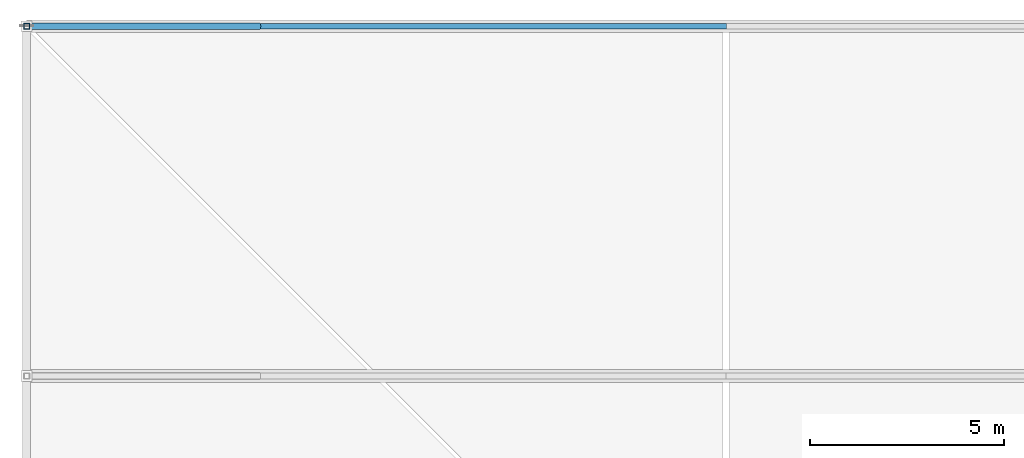
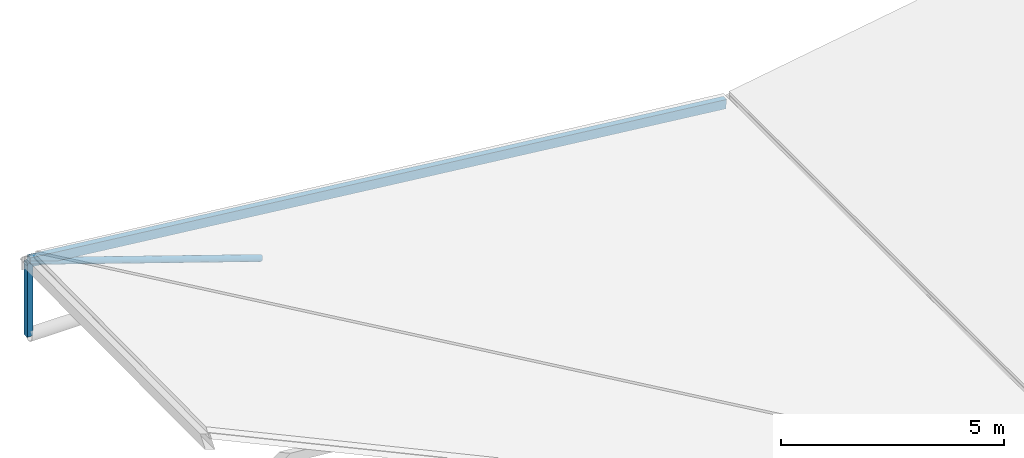
# One storey, part 31 of 44: 3 members.
"""IFC4 building model written with IfcOpenShell, lengths in metres."""

import ifcopenshell
import ifcopenshell.guid

model = None  # the IFC model being written
_history = None  # IfcOwnerHistory: only IFC2X3 demands one
_inside = {}  # id of a spatial element -> (the spatial element, [elements in it])
_under = {}  # id of a project, library or spatial element -> (it, [spatial elements below it])
_declared = {}  # id of a project -> (the project, [libraries it declares])
_typed = {}  # id of a type object -> (the type object, [elements of that type])
_made_of = {}  # id of a material, layer set ... -> (it, [elements and type objects made of it])


def new_model(schema):
    """Start an empty IFC model of exactly this schema.

    Asked for "IFC4X3", IfcOpenShell would pick the latest addendum, in which some entities
    have other attributes; the version numbers below select the first issue.
    IFC2X3 requires an IfcOwnerHistory on every rooted entity: one is made here for all.
    """
    global model, _history
    if schema == "IFC4X3":
        model = ifcopenshell.file(schema_version=(4, 3, 0, 0))
    else:
        model = ifcopenshell.file(schema=schema)
    _inside.clear()
    _under.clear()
    _declared.clear()
    _typed.clear()
    _made_of.clear()
    _history = None
    if model.schema == "IFC2X3":
        org = make("IfcOrganization", Name="unknown")
        user = make(
            "IfcPersonAndOrganization",
            ThePerson=make("IfcPerson", FamilyName="unknown"),
            TheOrganization=org,
        )
        app = make(
            "IfcApplication",
            ApplicationDeveloper=org,
            Version="unknown",
            ApplicationFullName="unknown",
            ApplicationIdentifier="unknown",
        )
        _history = make(
            "IfcOwnerHistory",
            OwningUser=user,
            OwningApplication=app,
            ChangeAction="ADDED",
            CreationDate=0,
        )
    return model


def make(cls, **values):
    """One entity of the class cls with the attributes given. An attribute that is None is left unset."""
    return model.create_entity(
        cls, **{name: value for name, value in values.items() if value is not None}
    )


def rooted(cls, **values):
    """An entity with a GlobalId (a new one), such as an element, a storey or a relation."""
    return make(cls, GlobalId=ifcopenshell.guid.new(), OwnerHistory=_history, **values)


def si_unit(unit_type, name, prefix=None):
    """IfcSIUnit, for example si_unit("LENGTHUNIT", "METRE", prefix="MILLI")."""
    return make("IfcSIUnit", UnitType=unit_type, Prefix=prefix, Name=name)


def assignment(units):
    """IfcUnitAssignment: the units of a project."""
    return None if units is None else make("IfcUnitAssignment", Units=units)


def point(xyz):
    """IfcCartesianPoint."""
    return None if xyz is None else make("IfcCartesianPoint", Coordinates=xyz)


def direction(xyz):
    """IfcDirection."""
    return None if xyz is None else make("IfcDirection", DirectionRatios=xyz)


def frame(location, z_axis=None, x_axis=None):
    """IfcAxis2Placement3D, a coordinate frame: its origin and axes. An axis left out is left unset."""
    return make(
        "IfcAxis2Placement3D",
        Location=point(location),
        Axis=direction(z_axis),
        RefDirection=direction(x_axis),
    )


def frame_2d(location, x_axis=None):
    """IfcAxis2Placement2D, a coordinate frame in the plane: its origin and x axis."""
    return make(
        "IfcAxis2Placement2D", Location=point(location), RefDirection=direction(x_axis)
    )


def origin():
    """The frame at (0, 0, 0) with its axes left unset."""
    return frame((0.0, 0.0, 0.0))


def origin_2d():
    """The frame at (0, 0) in the plane with its x axis left unset."""
    return frame_2d((0.0, 0.0))


def place(relative_to, where):
    """IfcLocalPlacement: puts the frame where relative to a parent placement (None: the world)."""
    return make(
        "IfcLocalPlacement", PlacementRelTo=relative_to, RelativePlacement=where
    )


def context(
    kind, dimensions, precision=None, world=None, true_north=None, identifier=None
):
    """IfcGeometricRepresentationContext, for example the 3D "Model" context."""
    return make(
        "IfcGeometricRepresentationContext",
        ContextIdentifier=identifier,
        ContextType=kind,
        CoordinateSpaceDimension=dimensions,
        Precision=precision,
        WorldCoordinateSystem=world,
        TrueNorth=true_north,
    )


def subcontext(parent, identifier, kind, view, scale=None):
    """IfcGeometricRepresentationSubContext, for example "Body" below "Model"."""
    return make(
        "IfcGeometricRepresentationSubContext",
        ContextIdentifier=identifier,
        ContextType=kind,
        ParentContext=parent,
        TargetScale=scale,
        TargetView=view,
    )


def project(units=None, contexts=None):
    """IfcProject with its units and contexts."""
    return rooted(
        "IfcProject",
        Name="project",
        RepresentationContexts=contexts,
        UnitsInContext=assignment(units),
    )


def spatial(cls, under=None, at=None, **own):
    """A site, building, storey or space (cls), placed at a placement, below another one or the project."""
    s = rooted(cls, ObjectPlacement=at, **own)
    if under is not None:
        _under.setdefault(under.id(), (under, []))[1].append(s)
    return s


def profile(cls, at=None, kind="AREA", **sizes):
    """A parametric profile (cls). Its sizes go by their IFC names, for example OverallWidth=200.0."""
    return make(cls, ProfileType=kind, Position=at, **sizes)


def hollow_rectangle(**sizes):
    """IfcRectangleHollowProfileDef."""
    return profile("IfcRectangleHollowProfileDef", **sizes)


def hollow_circle(**sizes):
    """IfcCircleHollowProfileDef."""
    return profile("IfcCircleHollowProfileDef", **sizes)


def extrude(swept, where, along, depth):
    """IfcExtrudedAreaSolid: the profile swept, set in the frame where, extruded along a direction by depth."""
    return make(
        "IfcExtrudedAreaSolid",
        SweptArea=swept,
        Position=where,
        ExtrudedDirection=direction(along),
        Depth=depth,
    )


def shape(context_of_items, identifier, shape_type, items):
    """IfcShapeRepresentation: the items that make up one representation, for example the "Body"."""
    return make(
        "IfcShapeRepresentation",
        ContextOfItems=context_of_items,
        RepresentationIdentifier=identifier,
        RepresentationType=shape_type,
        Items=items,
    )


def material(Name=None, Category=None):
    """IfcMaterial."""
    return make("IfcMaterial", Name=Name, Category=Category)


def material_profile(
    of_material, cross_section, Name=None, Category=None, Priority=None
):
    """IfcMaterialProfile: a cross section and its material."""
    return make(
        "IfcMaterialProfile",
        Name=Name,
        Material=of_material,
        Profile=cross_section,
        Priority=Priority,
        Category=Category,
    )


def profile_set(profiles, Name=None, composite=None):
    """IfcMaterialProfileSet."""
    return make(
        "IfcMaterialProfileSet",
        Name=Name,
        MaterialProfiles=profiles,
        CompositeProfile=composite,
    )


def made_of(thing, what):
    """Note that an element or type object is made of a material, layer set ...; save() writes the relation."""
    if what is not None:
        _made_of.setdefault(what.id(), (what, []))[1].append(thing)
    return thing


def type_object(cls, material=None, **own):
    """A type object (cls), such as IfcWallType, which elements share."""
    return made_of(rooted(cls, **own), material)


def element(
    cls,
    number,
    at=None,
    inside=None,
    cuts=None,
    type_object=None,
    material=None,
    context=None,
    identifier="Body",
    shape_type=None,
    held_by="IfcProductDefinitionShape",
    body=None,
    shapes=None,
    **own,
):
    """One element of the class cls, such as IfcWall. Its Tag is "e" and its number.

    at: its placement. inside: the storey or other place that contains it. cuts: it is an
    opening in that element (IfcRelVoidsElement). A single representation is given by context,
    identifier, shape_type and body (its items); several are given by shapes. held_by: the class
    of the entity that holds the representations. save() writes the other relations.
    """
    e = rooted(cls, Tag="e%d" % number, ObjectPlacement=at, **own)
    if body is not None:
        shapes = [shape(context, identifier, shape_type, body)]
    if shapes is not None:
        e.Representation = make(held_by, Representations=shapes)
    if inside is not None:
        _inside.setdefault(inside.id(), (inside, []))[1].append(e)
    if cuts is not None:
        rooted(
            "IfcRelVoidsElement", RelatingBuildingElement=cuts, RelatedOpeningElement=e
        )
    if type_object is not None:
        _typed.setdefault(type_object.id(), (type_object, []))[1].append(e)
    return made_of(e, material)


def aggregate(whole, parts):
    """IfcRelAggregates: a whole, such as a stair, and the parts it consists of."""
    return rooted("IfcRelAggregates", RelatingObject=whole, RelatedObjects=parts)


def save(model, path):
    """Write the relations noted so far, then the file.

    IfcRelAggregates (storeys below a building ...), IfcRelContainedInSpatialStructure (elements
    in a storey), IfcRelDefinesByType, IfcRelAssociatesMaterial and IfcRelDeclares: one each for
    every whole, place, type object, material and project.
    """
    for whole, parts in _under.values():
        aggregate(whole, parts)
    for where, things in _inside.values():
        rooted(
            "IfcRelContainedInSpatialStructure",
            RelatedElements=things,
            RelatingStructure=where,
        )
    for kind, things in _typed.values():
        rooted("IfcRelDefinesByType", RelatedObjects=things, RelatingType=kind)
    for what, things in _made_of.values():
        rooted("IfcRelAssociatesMaterial", RelatedObjects=things, RelatingMaterial=what)
    for by, libraries in _declared.values():
        rooted("IfcRelDeclares", RelatingContext=by, RelatedDefinitions=libraries)
    model.write(path)


model = new_model("IFC4")

# Units and contexts
model_context = context("Model", 3, precision=1e-05, world=origin(), true_north=direction((0.0, 1.0)))
body_context = subcontext(model_context, "Body", "Model", "MODEL_VIEW")
ifc_project = project(units=[si_unit("LENGTHUNIT", "METRE"), si_unit("AREAUNIT", "SQUARE_METRE"), si_unit("VOLUMEUNIT", "CUBIC_METRE"), si_unit("PLANEANGLEUNIT", "RADIAN"), si_unit("MASSUNIT", "GRAM", prefix="KILO")], contexts=[model_context])

# Site, building, storey
site_placement = place(None, origin())
site = spatial("IfcSite", under=ifc_project, at=site_placement, CompositionType="ELEMENT")
building_placement = place(site_placement, origin())
building = spatial("IfcBuilding", under=site, at=building_placement, Name="Deido Ridge Mobility Hub", CompositionType="ELEMENT")
storey_placement = place(building_placement, frame((0.0, 0.0, 25.199951171875)))
storey = spatial("IfcBuildingStorey", under=building, at=storey_placement, Name="L06", CompositionType="ELEMENT", Elevation=25.199951171875)

# Members
ifc_material = material(Name="Steel S355J2H EN 10210-1", Category="steel")
ifc_material_profile_1 = material_profile(ifc_material, hollow_rectangle(XDim=0.14990234375, YDim=0.14990234375, WallThickness=0.008056640625, at=origin_2d()), Name="SHS 150x150x8")
ifc_profile_set_1 = profile_set([ifc_material_profile_1], Name="Steel S355J2H EN 10210-1")
member_type_1 = type_object("IfcMemberType", Name="MEM-PST-SHS150", PredefinedType="POST", material=ifc_profile_set_1)
member_1_placement = place(storey_placement, frame((63.0, 81.0, 0.0), z_axis=(0.0, 0.0, 1.0), x_axis=(1.0, 0.0, 0.0)))
element("IfcMember", 1, at=member_1_placement, inside=storey, type_object=member_type_1, Name="Origami eaves post PS1", PredefinedType="POST", context=body_context, shape_type="SweptSolid", body=[
    extrude(hollow_rectangle(XDim=0.14990234375, YDim=0.14990234375, WallThickness=0.008056640625, at=origin_2d()), origin(), (0.0, 0.0, 1.0), 2.02001953125),
])
ifc_material_profile_2 = material_profile(ifc_material, hollow_rectangle(XDim=0.14990234375, YDim=0.25, WallThickness=0.010009765625, at=origin_2d()), Name="RHS 250x150x10")
ifc_profile_set_2 = profile_set([ifc_material_profile_2], Name="Steel S355J2H EN 10210-1")
member_type_2 = type_object("IfcMemberType", Name="MEM-RAF-RHS250", PredefinedType="RAFTER", material=ifc_profile_set_2)
member_2_placement = place(storey_placement, frame((63.0, 81.0, 2.02001953125), z_axis=(0.994064403247, 0.0, -0.108793208412), x_axis=(0.0, 1.0, 0.0)))
element("IfcMember", 2, at=member_2_placement, inside=storey, type_object=member_type_2, Name="Sports origami rafter RF1", PredefinedType="RAFTER", context=body_context, shape_type="SweptSolid", body=[
    extrude(hollow_rectangle(XDim=0.14990234375, YDim=0.25, WallThickness=0.010009765625, at=origin_2d()), origin(), (0.0, 0.0, 1.0), 18.107421875),
])
ifc_material_profile_3 = material_profile(ifc_material, hollow_circle(Radius=0.084228515625, WallThickness=0.008056640625, at=origin_2d()), Name="CHS 168.3x8")
ifc_profile_set_3 = profile_set([ifc_material_profile_3], Name="Steel S355J2H EN 10210-1")
member_type_3 = type_object("IfcMemberType", Name="MEM-STR-CHS168", PredefinedType="STRUT", material=ifc_profile_set_3)
member_3_placement = place(storey_placement, frame((69.0, 81.0, 0.0), z_axis=(-0.947730373321, 0.0, 0.319072310745), x_axis=(0.0, -1.0, 0.0)))
element("IfcMember", 3, at=member_3_placement, inside=storey, type_object=member_type_3, Name="Origami diagonal web SR1", PredefinedType="STRUT", context=body_context, shape_type="SweptSolid", body=[
    extrude(hollow_circle(Radius=0.084228515625, WallThickness=0.008056640625, at=origin_2d()), origin(), (0.0, 0.0, 1.0), 6.330810546875),
])

save(model, "model.ifc")
